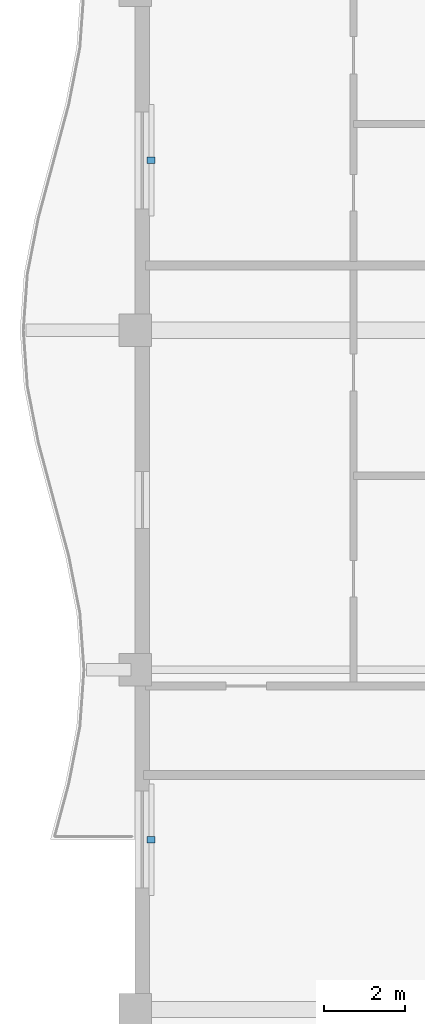
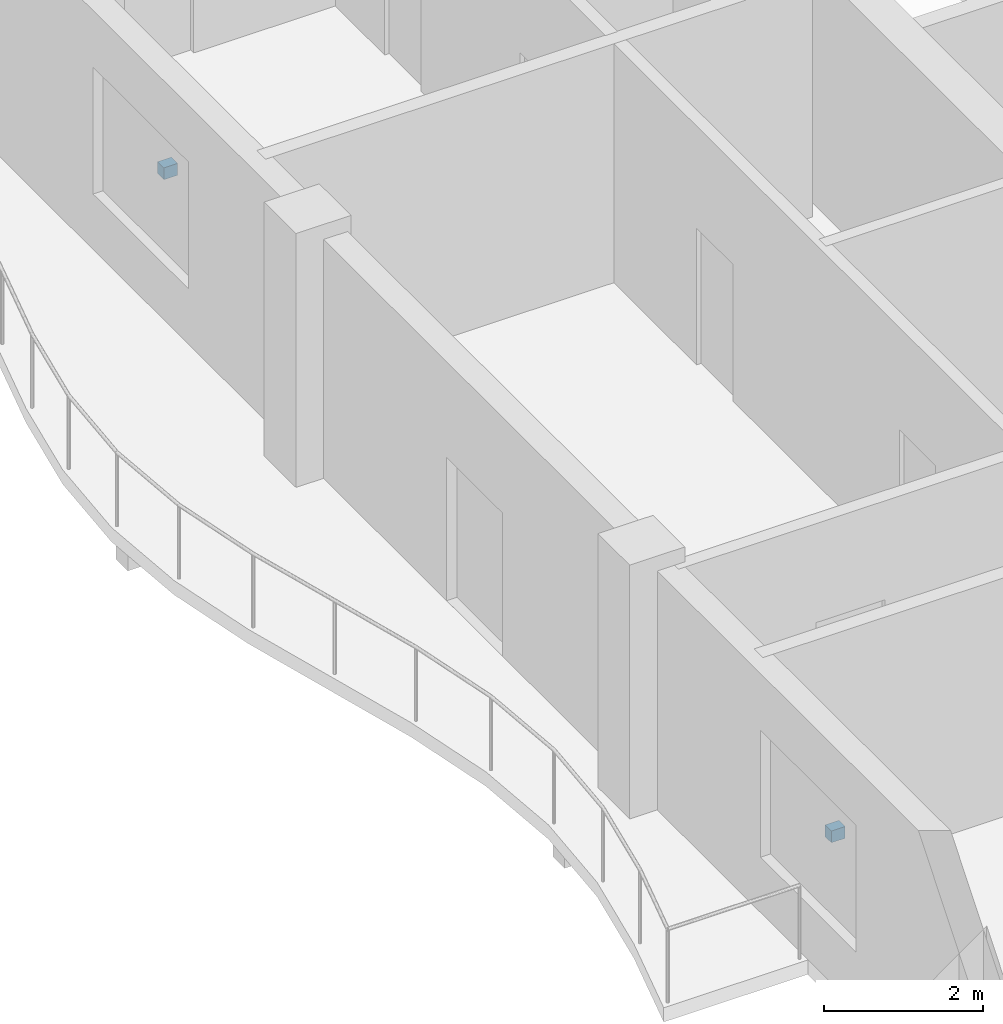
# One storey, part 12 of 15: 2 discrete accessories.
"""IFC4 building model written with IfcOpenShell, lengths in metres."""

from ifc_helpers import new_model, si_unit, direction, frame, origin, origin_2d, place, context, subcontext, project, spatial, rectangle, extrude, material, type_object, element, save


model = new_model("IFC4")

# Units and contexts
model_context = context("Model", 3, precision=1e-05, world=origin(), true_north=direction((0.0, 1.0)))
body_context = subcontext(model_context, "Body", "Model", "MODEL_VIEW")
ifc_project = project(units=[si_unit("LENGTHUNIT", "METRE"), si_unit("AREAUNIT", "SQUARE_METRE"), si_unit("VOLUMEUNIT", "CUBIC_METRE"), si_unit("PLANEANGLEUNIT", "RADIAN"), si_unit("MASSUNIT", "GRAM", prefix="KILO")], contexts=[model_context])

# Site, building, storey
site_placement = place(None, origin())
site = spatial("IfcSite", under=ifc_project, at=site_placement, CompositionType="ELEMENT")
building_placement = place(site_placement, origin())
building = spatial("IfcBuilding", under=site, at=building_placement, Name="Koriwani Terraces Tower", CompositionType="ELEMENT")
storey_placement = place(building_placement, frame((0.0, 0.0, 324.199951171875)))
storey = spatial("IfcBuildingStorey", under=building, at=storey_placement, Name="L80", CompositionType="ELEMENT", Elevation=324.199951171875)

# Discrete accessories
ifc_material = material(Name="Steel ASTM A572 Grade 50", Category="steel")
discrete_accessory_type = type_object("IfcDiscreteAccessoryType", Name="BAGUETTE_STANDOFF_BRACKET", PredefinedType="BRACKET", material=ifc_material)
for number, where, z_axis, x_axis, name in (
    (1, (8.7900390625, 37.800048828125, 1.7451171875), (0.0, 0.0, 1.0), (0.0, 1.0, 0.0), "L80 Terracotta Baguette Bracket (W-9)"),
    (2, (8.7900390625, 54.60009765625, 1.7451171875), (0.0, 0.0, 1.0), (0.0, 1.0, 0.0), "L80 Terracotta Baguette Bracket (W-15)"),
):
    element("IfcDiscreteAccessory", number, at=place(storey_placement, frame(where, z_axis=z_axis, x_axis=x_axis)), inside=storey, type_object=discrete_accessory_type, Name=name, PredefinedType="BRACKET", context=body_context, shape_type="SweptSolid", body=[
        extrude(rectangle(XDim=0.159912109375, YDim=0.199951171875, at=origin_2d()), origin(), (0.0, 0.0, 1.0), 0.179931640625),
    ])

save(model, "model.ifc")
